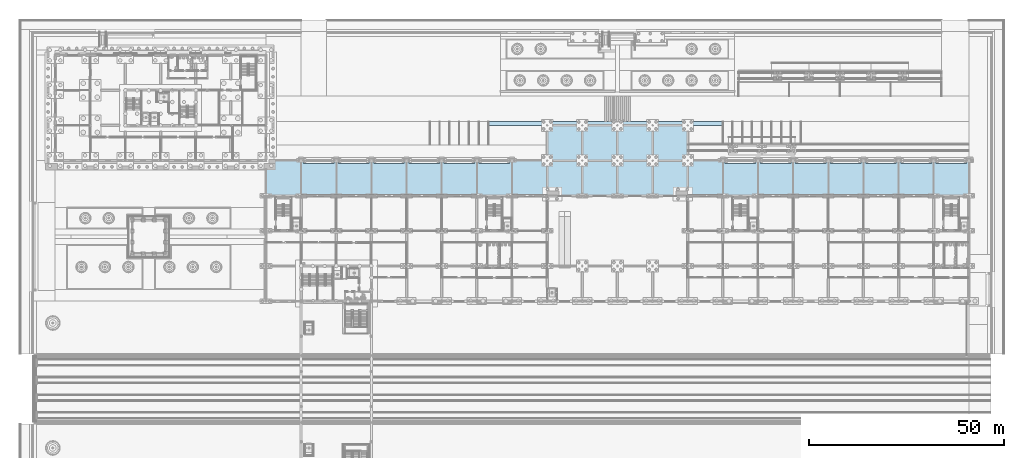
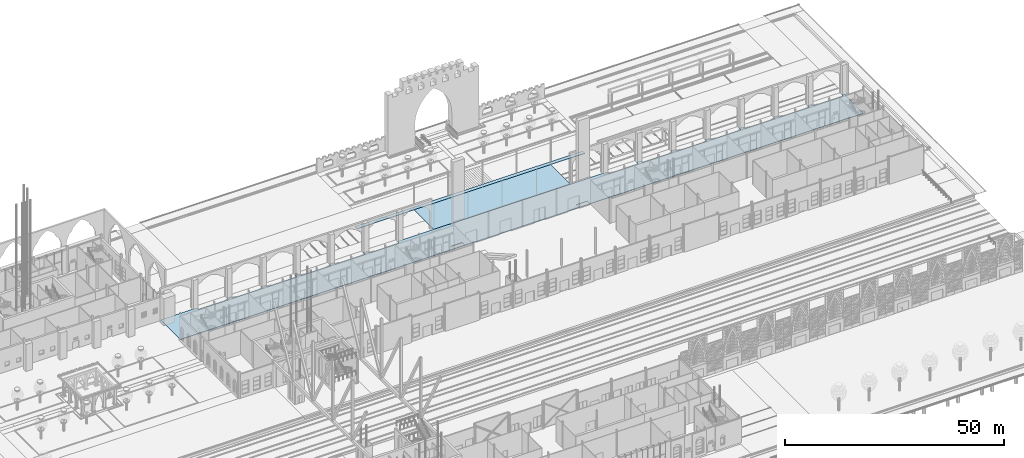
# One storey, part 80 of 250: 3 slabs.
"""IFC4 building model written with IfcOpenShell, lengths in metres."""

from ifc_helpers import new_model, si_unit, direction, frame, origin, place, context, subcontext, project, spatial, polyline, outline, extrude, material, layer, layer_set, type_object, element, save


model = new_model("IFC4")

# Units and contexts
model_context = context("Model", 3, precision=1e-05, world=origin(), true_north=direction((0.0, 1.0)))
body_context = subcontext(model_context, "Body", "Model", "MODEL_VIEW")
ifc_project = project(units=[si_unit("LENGTHUNIT", "METRE"), si_unit("AREAUNIT", "SQUARE_METRE"), si_unit("VOLUMEUNIT", "CUBIC_METRE"), si_unit("PLANEANGLEUNIT", "RADIAN"), si_unit("MASSUNIT", "GRAM", prefix="KILO")], contexts=[model_context])

# Site, building, storey
site_placement = place(None, origin())
site = spatial("IfcSite", under=ifc_project, at=site_placement, CompositionType="ELEMENT")
building_placement = place(site_placement, origin())
building = spatial("IfcBuilding", under=site, at=building_placement, Name="Baradari Gate Terminus", CompositionType="ELEMENT")
storey_placement = place(building_placement, origin())
storey = spatial("IfcBuildingStorey", under=building, at=storey_placement, Name="L00", CompositionType="ELEMENT", Elevation=0.0)

# Slabs
ifc_material_1 = material(Name="Concrete C32/40", Category="concrete")
ifc_layer_1 = layer(ifc_material_1, 0.11)
ifc_material_2 = material(Name="Concrete paving flags", Category="concrete")
ifc_layer_2 = layer(ifc_material_2, 0.04)
ifc_layer_set_1 = layer_set([ifc_layer_1, ifc_layer_2], Name="Concrete C32/40")
slab_type_1 = type_object("IfcSlabType", Name="Concrete paving slab SL12 150", PredefinedType="BASESLAB", material=ifc_layer_set_1)
slab_1_placement = place(storey_placement, frame((0.0, 0.0, -0.14990234375)))
element("IfcSlab", 1, at=slab_1_placement, inside=storey, type_object=slab_type_1, Name="Forecourt plaza 15", PredefinedType="BASESLAB", context=body_context, shape_type="SweptSolid", body=[
    extrude(outline(polyline([(180.0, 126.0), (180.0, 127.0), (120.0, 127.0), (120.0, 126.0), (180.0, 126.0)])), origin(), (0.0, 0.0, 1.0), 0.14990234375),
])
ifc_material_3 = material(Name="Concrete C35/45", Category="concrete")
ifc_layer_3 = layer(ifc_material_3, 0.14990234375)
ifc_layer_set_2 = layer_set([ifc_layer_3], Name="Concrete C35/45")
slab_type_2 = type_object("IfcSlabType", Name="Forecourt walk slab SL6 150", PredefinedType="BASESLAB", material=ifc_layer_set_2)
slab_2_placement = place(storey_placement, frame((0.0, 0.0, -0.14990234375)))
element("IfcSlab", 2, at=slab_2_placement, inside=storey, type_object=slab_type_2, Name="Canopy walk slab", PredefinedType="BASESLAB", context=body_context, shape_type="SweptSolid", body=[
    extrude(outline(polyline([(243.0, 108.0), (243.0, 117.0), (242.39990234375, 117.0), (242.39990234375, 116.25), (234.60009765625, 116.25), (234.60009765625, 117.0), (233.39990234375, 117.0), (233.39990234375, 116.25), (225.60009765625, 116.25), (225.60009765625, 117.0), (224.39990234375, 117.0), (224.39990234375, 116.25), (216.60009765625, 116.25), (216.60009765625, 117.0), (215.39990234375, 117.0), (215.39990234375, 116.25), (207.60009765625, 116.25), (207.60009765625, 117.0), (206.39990234375, 117.0), (206.39990234375, 116.25), (198.60009765625, 116.25), (198.60009765625, 117.0), (197.39990234375, 117.0), (197.39990234375, 116.25), (189.60009765625, 116.25), (189.60009765625, 117.0), (188.39990234375, 117.0), (188.39990234375, 116.25), (180.60009765625, 116.25), (180.60009765625, 117.0), (125.39990234375, 117.0), (125.39990234375, 116.25), (117.60009765625, 116.25), (117.60009765625, 117.0), (116.39990234375, 117.0), (116.39990234375, 116.25), (108.60009765625, 116.25), (108.60009765625, 117.0), (107.39990234375, 117.0), (107.39990234375, 116.25), (99.60009765625, 116.25), (99.60009765625, 117.0), (98.39990234375, 117.0), (98.39990234375, 116.25), (90.60009765625, 116.25), (90.60009765625, 117.0), (89.39990234375, 117.0), (89.39990234375, 116.25), (81.60009765625, 116.25), (81.60009765625, 117.0), (80.39990234375, 117.0), (80.39990234375, 116.25), (72.60009765625, 116.25), (72.60009765625, 117.0), (63.0, 117.0), (63.0, 108.0), (243.0, 108.0)]), holes=[polyline([(138.0, 108.199951171875), (138.0, 109.199951171875), (135.0, 109.199951171875), (135.0, 108.199951171875), (138.0, 108.199951171875)]), polyline([(171.0, 108.199951171875), (171.0, 109.199951171875), (168.0, 109.199951171875), (168.0, 108.199951171875), (171.0, 108.199951171875)])]), origin(), (0.0, 0.0, 1.0), 0.14990234375),
])
ifc_material_4 = material(Name="Concrete C35/45", Category="concrete")
ifc_layer_4 = layer(ifc_material_4, 0.179931640625)
ifc_layer_set_3 = layer_set([ifc_layer_4], Name="Concrete C35/45")
slab_type_3 = type_object("IfcSlabType", Name="Porch floor slab SL10 180", PredefinedType="BASESLAB", material=ifc_layer_set_3)
slab_3_placement = place(storey_placement, frame((0.0, 0.0, -0.179931640625)))
element("IfcSlab", 3, at=slab_3_placement, inside=storey, type_object=slab_type_3, Name="Porch floor slab", PredefinedType="BASESLAB", context=body_context, shape_type="SweptSolid", body=[
    extrude(outline(polyline([(171.0, 117.0), (171.0, 126.0), (135.0, 126.0), (135.0, 117.0), (171.0, 117.0)])), origin(), (0.0, 0.0, 1.0), 0.179931640625),
])

save(model, "model.ifc")
